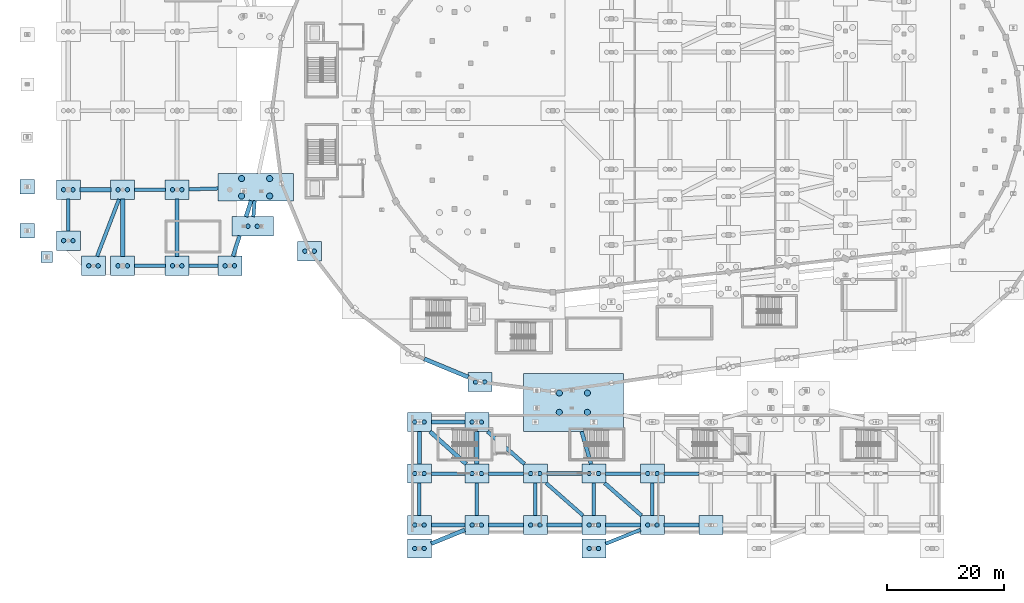
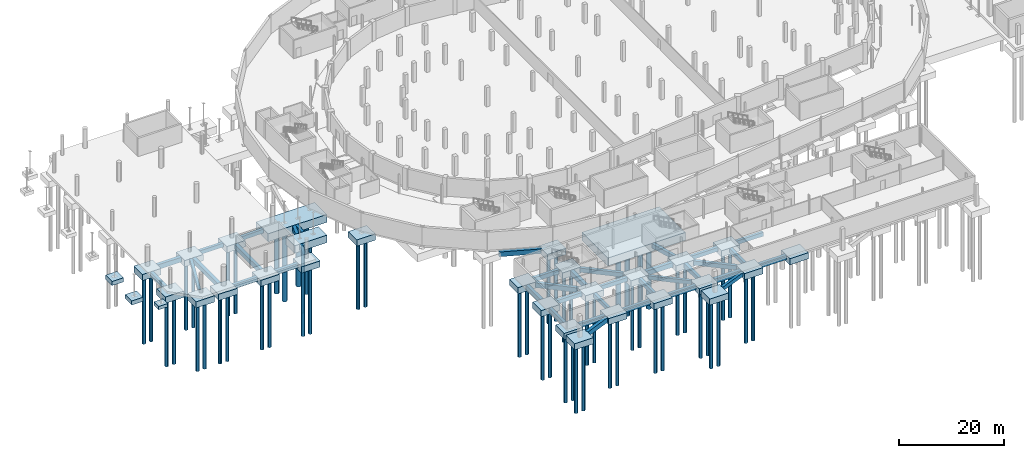
# One storey, part 1 of 55: 69 footings, 58 piles.
"""IFC4 building model written with IfcOpenShell, lengths in metres."""

import ifcopenshell
import ifcopenshell.guid

model = None  # the IFC model being written
_history = None  # IfcOwnerHistory: only IFC2X3 demands one
_inside = {}  # id of a spatial element -> (the spatial element, [elements in it])
_under = {}  # id of a project, library or spatial element -> (it, [spatial elements below it])
_declared = {}  # id of a project -> (the project, [libraries it declares])
_typed = {}  # id of a type object -> (the type object, [elements of that type])
_made_of = {}  # id of a material, layer set ... -> (it, [elements and type objects made of it])


def new_model(schema):
    """Start an empty IFC model of exactly this schema.

    Asked for "IFC4X3", IfcOpenShell would pick the latest addendum, in which some entities
    have other attributes; the version numbers below select the first issue.
    IFC2X3 requires an IfcOwnerHistory on every rooted entity: one is made here for all.
    """
    global model, _history
    if schema == "IFC4X3":
        model = ifcopenshell.file(schema_version=(4, 3, 0, 0))
    else:
        model = ifcopenshell.file(schema=schema)
    _inside.clear()
    _under.clear()
    _declared.clear()
    _typed.clear()
    _made_of.clear()
    _history = None
    if model.schema == "IFC2X3":
        org = make("IfcOrganization", Name="unknown")
        user = make(
            "IfcPersonAndOrganization",
            ThePerson=make("IfcPerson", FamilyName="unknown"),
            TheOrganization=org,
        )
        app = make(
            "IfcApplication",
            ApplicationDeveloper=org,
            Version="unknown",
            ApplicationFullName="unknown",
            ApplicationIdentifier="unknown",
        )
        _history = make(
            "IfcOwnerHistory",
            OwningUser=user,
            OwningApplication=app,
            ChangeAction="ADDED",
            CreationDate=0,
        )
    return model


def make(cls, **values):
    """One entity of the class cls with the attributes given. An attribute that is None is left unset."""
    return model.create_entity(
        cls, **{name: value for name, value in values.items() if value is not None}
    )


def rooted(cls, **values):
    """An entity with a GlobalId (a new one), such as an element, a storey or a relation."""
    return make(cls, GlobalId=ifcopenshell.guid.new(), OwnerHistory=_history, **values)


def si_unit(unit_type, name, prefix=None):
    """IfcSIUnit, for example si_unit("LENGTHUNIT", "METRE", prefix="MILLI")."""
    return make("IfcSIUnit", UnitType=unit_type, Prefix=prefix, Name=name)


def assignment(units):
    """IfcUnitAssignment: the units of a project."""
    return None if units is None else make("IfcUnitAssignment", Units=units)


def point(xyz):
    """IfcCartesianPoint."""
    return None if xyz is None else make("IfcCartesianPoint", Coordinates=xyz)


def direction(xyz):
    """IfcDirection."""
    return None if xyz is None else make("IfcDirection", DirectionRatios=xyz)


def frame(location, z_axis=None, x_axis=None):
    """IfcAxis2Placement3D, a coordinate frame: its origin and axes. An axis left out is left unset."""
    return make(
        "IfcAxis2Placement3D",
        Location=point(location),
        Axis=direction(z_axis),
        RefDirection=direction(x_axis),
    )


def frame_2d(location, x_axis=None):
    """IfcAxis2Placement2D, a coordinate frame in the plane: its origin and x axis."""
    return make(
        "IfcAxis2Placement2D", Location=point(location), RefDirection=direction(x_axis)
    )


def origin():
    """The frame at (0, 0, 0) with its axes left unset."""
    return frame((0.0, 0.0, 0.0))


def origin_2d():
    """The frame at (0, 0) in the plane with its x axis left unset."""
    return frame_2d((0.0, 0.0))


def place(relative_to, where):
    """IfcLocalPlacement: puts the frame where relative to a parent placement (None: the world)."""
    return make(
        "IfcLocalPlacement", PlacementRelTo=relative_to, RelativePlacement=where
    )


def context(
    kind, dimensions, precision=None, world=None, true_north=None, identifier=None
):
    """IfcGeometricRepresentationContext, for example the 3D "Model" context."""
    return make(
        "IfcGeometricRepresentationContext",
        ContextIdentifier=identifier,
        ContextType=kind,
        CoordinateSpaceDimension=dimensions,
        Precision=precision,
        WorldCoordinateSystem=world,
        TrueNorth=true_north,
    )


def subcontext(parent, identifier, kind, view, scale=None):
    """IfcGeometricRepresentationSubContext, for example "Body" below "Model"."""
    return make(
        "IfcGeometricRepresentationSubContext",
        ContextIdentifier=identifier,
        ContextType=kind,
        ParentContext=parent,
        TargetScale=scale,
        TargetView=view,
    )


def project(units=None, contexts=None):
    """IfcProject with its units and contexts."""
    return rooted(
        "IfcProject",
        Name="project",
        RepresentationContexts=contexts,
        UnitsInContext=assignment(units),
    )


def spatial(cls, under=None, at=None, **own):
    """A site, building, storey or space (cls), placed at a placement, below another one or the project."""
    s = rooted(cls, ObjectPlacement=at, **own)
    if under is not None:
        _under.setdefault(under.id(), (under, []))[1].append(s)
    return s


def profile(cls, at=None, kind="AREA", **sizes):
    """A parametric profile (cls). Its sizes go by their IFC names, for example OverallWidth=200.0."""
    return make(cls, ProfileType=kind, Position=at, **sizes)


def rectangle(**sizes):
    """IfcRectangleProfileDef."""
    return profile("IfcRectangleProfileDef", **sizes)


def circle(**sizes):
    """IfcCircleProfileDef."""
    return profile("IfcCircleProfileDef", **sizes)


def extrude(swept, where, along, depth):
    """IfcExtrudedAreaSolid: the profile swept, set in the frame where, extruded along a direction by depth."""
    return make(
        "IfcExtrudedAreaSolid",
        SweptArea=swept,
        Position=where,
        ExtrudedDirection=direction(along),
        Depth=depth,
    )


def shape(context_of_items, identifier, shape_type, items):
    """IfcShapeRepresentation: the items that make up one representation, for example the "Body"."""
    return make(
        "IfcShapeRepresentation",
        ContextOfItems=context_of_items,
        RepresentationIdentifier=identifier,
        RepresentationType=shape_type,
        Items=items,
    )


def material(Name=None, Category=None):
    """IfcMaterial."""
    return make("IfcMaterial", Name=Name, Category=Category)


def material_profile(
    of_material, cross_section, Name=None, Category=None, Priority=None
):
    """IfcMaterialProfile: a cross section and its material."""
    return make(
        "IfcMaterialProfile",
        Name=Name,
        Material=of_material,
        Profile=cross_section,
        Priority=Priority,
        Category=Category,
    )


def profile_set(profiles, Name=None, composite=None):
    """IfcMaterialProfileSet."""
    return make(
        "IfcMaterialProfileSet",
        Name=Name,
        MaterialProfiles=profiles,
        CompositeProfile=composite,
    )


def made_of(thing, what):
    """Note that an element or type object is made of a material, layer set ...; save() writes the relation."""
    if what is not None:
        _made_of.setdefault(what.id(), (what, []))[1].append(thing)
    return thing


def type_object(cls, material=None, **own):
    """A type object (cls), such as IfcWallType, which elements share."""
    return made_of(rooted(cls, **own), material)


def element(
    cls,
    number,
    at=None,
    inside=None,
    cuts=None,
    type_object=None,
    material=None,
    context=None,
    identifier="Body",
    shape_type=None,
    held_by="IfcProductDefinitionShape",
    body=None,
    shapes=None,
    **own,
):
    """One element of the class cls, such as IfcWall. Its Tag is "e" and its number.

    at: its placement. inside: the storey or other place that contains it. cuts: it is an
    opening in that element (IfcRelVoidsElement). A single representation is given by context,
    identifier, shape_type and body (its items); several are given by shapes. held_by: the class
    of the entity that holds the representations. save() writes the other relations.
    """
    e = rooted(cls, Tag="e%d" % number, ObjectPlacement=at, **own)
    if body is not None:
        shapes = [shape(context, identifier, shape_type, body)]
    if shapes is not None:
        e.Representation = make(held_by, Representations=shapes)
    if inside is not None:
        _inside.setdefault(inside.id(), (inside, []))[1].append(e)
    if cuts is not None:
        rooted(
            "IfcRelVoidsElement", RelatingBuildingElement=cuts, RelatedOpeningElement=e
        )
    if type_object is not None:
        _typed.setdefault(type_object.id(), (type_object, []))[1].append(e)
    return made_of(e, material)


def aggregate(whole, parts):
    """IfcRelAggregates: a whole, such as a stair, and the parts it consists of."""
    return rooted("IfcRelAggregates", RelatingObject=whole, RelatedObjects=parts)


def save(model, path):
    """Write the relations noted so far, then the file.

    IfcRelAggregates (storeys below a building ...), IfcRelContainedInSpatialStructure (elements
    in a storey), IfcRelDefinesByType, IfcRelAssociatesMaterial and IfcRelDeclares: one each for
    every whole, place, type object, material and project.
    """
    for whole, parts in _under.values():
        aggregate(whole, parts)
    for where, things in _inside.values():
        rooted(
            "IfcRelContainedInSpatialStructure",
            RelatedElements=things,
            RelatingStructure=where,
        )
    for kind, things in _typed.values():
        rooted("IfcRelDefinesByType", RelatedObjects=things, RelatingType=kind)
    for what, things in _made_of.values():
        rooted("IfcRelAssociatesMaterial", RelatedObjects=things, RelatingMaterial=what)
    for by, libraries in _declared.values():
        rooted("IfcRelDeclares", RelatingContext=by, RelatedDefinitions=libraries)
    model.write(path)


model = new_model("IFC4")

# Units and contexts
model_context = context("Model", 3, precision=1e-05, world=origin(), true_north=direction((0.0, 1.0)))
body_context = subcontext(model_context, "Body", "Model", "MODEL_VIEW")
ifc_project = project(units=[si_unit("LENGTHUNIT", "METRE"), si_unit("AREAUNIT", "SQUARE_METRE"), si_unit("VOLUMEUNIT", "CUBIC_METRE"), si_unit("PLANEANGLEUNIT", "RADIAN"), si_unit("MASSUNIT", "GRAM", prefix="KILO")], contexts=[model_context])

# Site, building, storey
site_placement = place(None, origin())
site = spatial("IfcSite", under=ifc_project, at=site_placement, CompositionType="ELEMENT")
building_placement = place(site_placement, origin())
building = spatial("IfcBuilding", under=site, at=building_placement, Name="Sohan Crest Arena", CompositionType="ELEMENT")
storey_placement = place(building_placement, frame((0.0, 0.0, -4.5)))
storey = spatial("IfcBuildingStorey", under=building, at=storey_placement, Name="B1", CompositionType="ELEMENT", Elevation=-4.5)

# Footings
ifc_material = material(Name="Concrete C40/50", Category="concrete")
ifc_material_profile_1 = material_profile(ifc_material, rectangle(XDim=0.60009765625, YDim=0.89990234375, at=origin_2d()), Name="RC-FB 600x900")
ifc_profile_set_1 = profile_set([ifc_material_profile_1], Name="Concrete C40/50")
footing_type_1 = type_object("IfcFootingType", Name="FND-FB01", PredefinedType="FOOTING_BEAM", material=ifc_profile_set_1)
footing_1_placement = place(storey_placement, frame((20.126953125, 53.1298828125, -1.0), z_axis=(0.358966537849, 0.933350429745, 0.0), x_axis=(-0.933350429745, 0.358966537849, 0.0)))
element("IfcFooting", 1, at=footing_1_placement, inside=storey, type_object=footing_type_1, Name="Continuous RC footing tie beam FB-009", PredefinedType="FOOTING_BEAM", context=body_context, shape_type="SweptSolid", body=[
    extrude(rectangle(XDim=0.60009765625, YDim=0.89990234375, at=origin_2d()), origin(), (0.0, 0.0, 1.0), 10.435791015625),
])
footing_2_placement = place(storey_placement, frame((26.530029296875, 64.5, -1.0), z_axis=(1.0, 0.0, 0.0), x_axis=(0.0, 1.0, 0.0)))
element("IfcFooting", 2, at=footing_2_placement, inside=storey, type_object=footing_type_1, Name="Continuous RC footing tie beam FB-012", PredefinedType="FOOTING_BEAM", context=body_context, shape_type="SweptSolid", body=[
    extrude(rectangle(XDim=0.60009765625, YDim=0.89990234375, at=origin_2d()), origin(), (0.0, 0.0, 1.0), 5.239990234375),
])
footing_3_placement = place(storey_placement, frame((35.830078125, 64.56201171875, -1.0), z_axis=(0.999525957592, 0.030787336675, 0.0), x_axis=(-0.030787336675, 0.999525957592, 0.0)))
element("IfcFooting", 3, at=footing_3_placement, inside=storey, type_object=footing_type_1, Name="Continuous RC footing tie beam FB-021", PredefinedType="FOOTING_BEAM", context=body_context, shape_type="SweptSolid", body=[
    extrude(rectangle(XDim=0.60009765625, YDim=0.89990234375, at=origin_2d()), origin(), (0.0, 0.0, 1.0), 4.9404296875),
])
footing_4_placement = place(storey_placement, frame((47.0400390625, 62.617919921875, -1.0), z_axis=(-0.077607403448, -0.996983997329, 0.0), x_axis=(0.996983997329, -0.077607403448, 0.0)))
element("IfcFooting", 4, at=footing_4_placement, inside=storey, type_object=footing_type_1, Name="Continuous RC footing tie beam FB-030", PredefinedType="FOOTING_BEAM", context=body_context, shape_type="SweptSolid", body=[
    extrude(rectangle(XDim=0.60009765625, YDim=0.89990234375, at=origin_2d()), origin(), (0.0, 0.0, 1.0), 2.746337890625),
])
footing_5_placement = place(storey_placement, frame((75.199951171875, 8.830078125, -1.0), z_axis=(0.0, 1.0, 0.0), x_axis=(-1.0, 0.0, 0.0)))
element("IfcFooting", 5, at=footing_5_placement, inside=storey, type_object=footing_type_1, Name="Continuous RC footing tie beam FB-039", PredefinedType="FOOTING_BEAM", context=body_context, shape_type="SweptSolid", body=[
    extrude(rectangle(XDim=0.60009765625, YDim=0.89990234375, at=origin_2d()), origin(), (0.0, 0.0, 1.0), 5.5400390625),
])
footing_6_placement = place(storey_placement, frame((77.22998046875, 16.0, -1.0), z_axis=(1.0, 0.0, 0.0), x_axis=(0.0, 1.0, 0.0)))
element("IfcFooting", 6, at=footing_6_placement, inside=storey, type_object=footing_type_1, Name="Continuous RC footing tie beam FB-042", PredefinedType="FOOTING_BEAM", context=body_context, shape_type="SweptSolid", body=[
    extrude(rectangle(XDim=0.60009765625, YDim=0.89990234375, at=origin_2d()), origin(), (0.0, 0.0, 1.0), 5.739990234375),
])
footing_7_placement = place(storey_placement, frame((85.0, 8.830078125, -1.0), z_axis=(0.0, 1.0, 0.0), x_axis=(-1.0, 0.0, 0.0)))
element("IfcFooting", 7, at=footing_7_placement, inside=storey, type_object=footing_type_1, Name="Continuous RC footing tie beam FB-045", PredefinedType="FOOTING_BEAM", context=body_context, shape_type="SweptSolid", body=[
    extrude(rectangle(XDim=0.60009765625, YDim=0.89990234375, at=origin_2d()), origin(), (0.0, 0.0, 1.0), 5.5400390625),
])
footing_8_placement = place(storey_placement, frame((87.030029296875, 16.0, -1.0), z_axis=(1.0, 0.0, 0.0), x_axis=(0.0, 1.0, 0.0)))
element("IfcFooting", 8, at=footing_8_placement, inside=storey, type_object=footing_type_1, Name="Continuous RC footing tie beam FB-048", PredefinedType="FOOTING_BEAM", context=body_context, shape_type="SweptSolid", body=[
    extrude(rectangle(XDim=0.60009765625, YDim=0.89990234375, at=origin_2d()), origin(), (0.0, 0.0, 1.0), 5.93994140625),
])
footing_9_placement = place(storey_placement, frame((95.0, 8.830078125, -1.0), z_axis=(0.0, 1.0, 0.0), x_axis=(-1.0, 0.0, 0.0)))
element("IfcFooting", 9, at=footing_9_placement, inside=storey, type_object=footing_type_1, Name="Continuous RC footing tie beam FB-051", PredefinedType="FOOTING_BEAM", context=body_context, shape_type="SweptSolid", body=[
    extrude(rectangle(XDim=0.60009765625, YDim=0.89990234375, at=origin_2d()), origin(), (0.0, 0.0, 1.0), 5.5400390625),
])
footing_10_placement = place(storey_placement, frame((96.85205078125, 14.3701171875, -1.0), z_axis=(0.750734306922, -0.660604269143, 0.0), x_axis=(0.660604269143, 0.750734306922, 0.0)))
element("IfcFooting", 10, at=footing_10_placement, inside=storey, type_object=footing_type_1, Name="Continuous RC footing tie beam FB-054", PredefinedType="FOOTING_BEAM", context=body_context, shape_type="SweptSolid", body=[
    extrude(rectangle(XDim=0.60009765625, YDim=0.89990234375, at=origin_2d()), origin(), (0.0, 0.0, 1.0), 8.38623046875),
])
footing_11_placement = place(storey_placement, frame((107.030029296875, 4.011962890625, -1.0), z_axis=(0.928476690885, 0.371390676354, 0.0), x_axis=(-0.371390676354, 0.928476690885, 0.0)))
element("IfcFooting", 11, at=footing_11_placement, inside=storey, type_object=footing_type_1, Name="Continuous RC footing tie beam FB-060", PredefinedType="FOOTING_BEAM", context=body_context, shape_type="SweptSolid", body=[
    extrude(rectangle(XDim=0.60009765625, YDim=0.89990234375, at=origin_2d()), origin(), (0.0, 0.0, 1.0), 6.3974609375),
])
footing_12_placement = place(storey_placement, frame((107.030029296875, 16.0, -1.0), z_axis=(1.0, 0.0, 0.0), x_axis=(0.0, 1.0, 0.0)))
element("IfcFooting", 12, at=footing_12_placement, inside=storey, type_object=footing_type_1, Name="Continuous RC footing tie beam FB-063", PredefinedType="FOOTING_BEAM", context=body_context, shape_type="SweptSolid", body=[
    extrude(rectangle(XDim=0.60009765625, YDim=0.89990234375, at=origin_2d()), origin(), (0.0, 0.0, 1.0), 5.93994140625),
])
footing_13_placement = place(storey_placement, frame((115.0, 8.830078125, -1.0), z_axis=(0.0, 1.0, 0.0), x_axis=(-1.0, 0.0, 0.0)))
element("IfcFooting", 13, at=footing_13_placement, inside=storey, type_object=footing_type_1, Name="Continuous RC footing tie beam FB-084", PredefinedType="FOOTING_BEAM", context=body_context, shape_type="SweptSolid", body=[
    extrude(rectangle(XDim=0.60009765625, YDim=0.89990234375, at=origin_2d()), origin(), (0.0, 0.0, 1.0), 5.5400390625),
])
footing_14_placement = place(storey_placement, frame((117.030029296875, 16.0, -1.0), z_axis=(1.0, 0.0, 0.0), x_axis=(0.0, 1.0, 0.0)))
element("IfcFooting", 14, at=footing_14_placement, inside=storey, type_object=footing_type_1, Name="Continuous RC footing tie beam FB-087", PredefinedType="FOOTING_BEAM", context=body_context, shape_type="SweptSolid", body=[
    extrude(rectangle(XDim=0.60009765625, YDim=0.89990234375, at=origin_2d()), origin(), (0.0, 0.0, 1.0), 5.93994140625),
])
ifc_material_profile_2 = material_profile(ifc_material, rectangle(XDim=0.64990234375, YDim=1.0, at=origin_2d()), Name="RC-FB 650x1000")
ifc_profile_set_2 = profile_set([ifc_material_profile_2], Name="Concrete C40/50")
footing_type_2 = type_object("IfcFootingType", Name="FND-FB02", PredefinedType="FOOTING_BEAM", material=ifc_profile_set_2)
footing_15_placement = place(storey_placement, frame((15.199951171875, 57.429931640625, -1.050048828125), z_axis=(0.0, 1.0, 0.0), x_axis=(-1.0, 0.0, 0.0)))
element("IfcFooting", 15, at=footing_15_placement, inside=storey, type_object=footing_type_2, Name="Continuous RC footing tie beam FB-001", PredefinedType="FOOTING_BEAM", context=body_context, shape_type="SweptSolid", body=[
    extrude(rectangle(XDim=0.64990234375, YDim=1.0, at=origin_2d()), origin(), (0.0, 0.0, 1.0), 5.440185546875),
])
footing_16_placement = place(storey_placement, frame((26.530029296875, 51.5, -1.050048828125), z_axis=(1.0, 0.0, 0.0), x_axis=(0.0, 1.0, 0.0)))
element("IfcFooting", 16, at=footing_16_placement, inside=storey, type_object=footing_type_2, Name="Continuous RC footing tie beam FB-010", PredefinedType="FOOTING_BEAM", context=body_context, shape_type="SweptSolid", body=[
    extrude(rectangle(XDim=0.64990234375, YDim=1.0, at=origin_2d()), origin(), (0.0, 0.0, 1.0), 5.239990234375),
])
footing_17_placement = place(storey_placement, frame((35.830078125, 51.5, -1.050048828125), z_axis=(1.0, 0.0, 0.0), x_axis=(0.0, 1.0, 0.0)))
element("IfcFooting", 17, at=footing_17_placement, inside=storey, type_object=footing_type_2, Name="Continuous RC footing tie beam FB-019", PredefinedType="FOOTING_BEAM", context=body_context, shape_type="SweptSolid", body=[
    extrude(rectangle(XDim=0.64990234375, YDim=1.0, at=origin_2d()), origin(), (0.0, 0.0, 1.0), 4.93994140625),
])
footing_18_placement = place(storey_placement, frame((43.3369140625, 53.1298828125, -1.050048828125), z_axis=(0.312737479384, 0.949839601716, 0.0), x_axis=(-0.949839601716, 0.312737479384, 0.0)))
element("IfcFooting", 18, at=footing_18_placement, inside=storey, type_object=footing_type_2, Name="Continuous RC footing tie beam FB-028", PredefinedType="FOOTING_BEAM", context=body_context, shape_type="SweptSolid", body=[
    extrude(rectangle(XDim=0.64990234375, YDim=1.0, at=origin_2d()), origin(), (0.0, 0.0, 1.0), 3.674560546875),
])
for number, where, z_axis, x_axis, name in (
    (19, (77.22998046875, 7.199951171875, -1.050048828125), (1.0, 0.0, 0.0), (0.0, 1.0, 0.0), "Continuous RC footing tie beam FB-040"),
    (20, (77.22998046875, 24.800048828125, -1.050048828125), (1.0, 0.0, 0.0), (0.0, 1.0, 0.0), "Continuous RC footing tie beam FB-043"),
):
    element("IfcFooting", number, at=place(storey_placement, frame(where, z_axis=z_axis, x_axis=x_axis)), inside=storey, type_object=footing_type_2, Name=name, PredefinedType="FOOTING_BEAM", context=body_context, shape_type="SweptSolid", body=[
        extrude(rectangle(XDim=0.64990234375, YDim=1.0, at=origin_2d()), origin(), (0.0, 0.0, 1.0), 5.739990234375),
    ])
footing_19_placement = place(storey_placement, frame((87.030029296875, 7.199951171875, -1.050048828125), z_axis=(1.0, 0.0, 0.0), x_axis=(0.0, 1.0, 0.0)))
element("IfcFooting", 21, at=footing_19_placement, inside=storey, type_object=footing_type_2, Name="Continuous RC footing tie beam FB-046", PredefinedType="FOOTING_BEAM", context=body_context, shape_type="SweptSolid", body=[
    extrude(rectangle(XDim=0.64990234375, YDim=1.0, at=origin_2d()), origin(), (0.0, 0.0, 1.0), 5.93994140625),
])
footing_20_placement = place(storey_placement, frame((86.85205078125, 23.169921875, -1.050048828125), z_axis=(0.750734306922, -0.660604269143, 0.0), x_axis=(0.660604269143, 0.750734306922, 0.0)))
element("IfcFooting", 22, at=footing_20_placement, inside=storey, type_object=footing_type_2, Name="Continuous RC footing tie beam FB-049", PredefinedType="FOOTING_BEAM", context=body_context, shape_type="SweptSolid", body=[
    extrude(rectangle(XDim=0.64990234375, YDim=1.0, at=origin_2d()), origin(), (0.0, 0.0, 1.0), 8.38623046875),
])
footing_21_placement = place(storey_placement, frame((97.030029296875, 7.199951171875, -1.050048828125), z_axis=(1.0, 0.0, 0.0), x_axis=(0.0, 1.0, 0.0)))
element("IfcFooting", 23, at=footing_21_placement, inside=storey, type_object=footing_type_2, Name="Continuous RC footing tie beam FB-052", PredefinedType="FOOTING_BEAM", context=body_context, shape_type="SweptSolid", body=[
    extrude(rectangle(XDim=0.64990234375, YDim=1.0, at=origin_2d()), origin(), (0.0, 0.0, 1.0), 5.93994140625),
])
footing_22_placement = place(storey_placement, frame((102.928955078125, 23.1689453125, -1.050048828125), z_axis=(0.277527493641, -0.96071769541, 0.0), x_axis=(0.96071769541, 0.277527493641, 0.0)))
element("IfcFooting", 24, at=footing_22_placement, inside=storey, type_object=footing_type_2, Name="Continuous RC footing tie beam FB-055", PredefinedType="FOOTING_BEAM", context=body_context, shape_type="SweptSolid", body=[
    extrude(rectangle(XDim=0.64990234375, YDim=1.0, at=origin_2d()), origin(), (0.0, 0.0, 1.0), 5.765625),
])
footing_23_placement = place(storey_placement, frame((105.0, 8.830078125, -1.050048828125), z_axis=(0.0, 1.0, 0.0), x_axis=(-1.0, 0.0, 0.0)))
element("IfcFooting", 25, at=footing_23_placement, inside=storey, type_object=footing_type_2, Name="Continuous RC footing tie beam FB-061", PredefinedType="FOOTING_BEAM", context=body_context, shape_type="SweptSolid", body=[
    extrude(rectangle(XDim=0.64990234375, YDim=1.0, at=origin_2d()), origin(), (0.0, 0.0, 1.0), 5.5400390625),
])
footing_24_placement = place(storey_placement, frame((106.85205078125, 14.3701171875, -1.050048828125), z_axis=(0.750734306922, -0.660604269143, 0.0), x_axis=(0.660604269143, 0.750734306922, 0.0)))
element("IfcFooting", 26, at=footing_24_placement, inside=storey, type_object=footing_type_2, Name="Continuous RC footing tie beam FB-064", PredefinedType="FOOTING_BEAM", context=body_context, shape_type="SweptSolid", body=[
    extrude(rectangle(XDim=0.64990234375, YDim=1.0, at=origin_2d()), origin(), (0.0, 0.0, 1.0), 8.38623046875),
])
footing_25_placement = place(storey_placement, frame((117.030029296875, 7.199951171875, -1.050048828125), z_axis=(1.0, 0.0, 0.0), x_axis=(0.0, 1.0, 0.0)))
element("IfcFooting", 27, at=footing_25_placement, inside=storey, type_object=footing_type_2, Name="Continuous RC footing tie beam FB-085", PredefinedType="FOOTING_BEAM", context=body_context, shape_type="SweptSolid", body=[
    extrude(rectangle(XDim=0.64990234375, YDim=1.0, at=origin_2d()), origin(), (0.0, 0.0, 1.0), 5.93994140625),
])
ifc_material_profile_3 = material_profile(ifc_material, rectangle(XDim=0.699951171875, YDim=1.10009765625, at=origin_2d()), Name="RC-FB 700x1100")
ifc_profile_set_3 = profile_set([ifc_material_profile_3], Name="Concrete C40/50")
footing_type_3 = type_object("IfcFootingType", Name="FND-FB03", PredefinedType="FOOTING_BEAM", material=ifc_profile_set_3)
footing_26_placement = place(storey_placement, frame((17.22998046875, 64.5, -1.10009765625), z_axis=(1.0, 0.0, 0.0), x_axis=(0.0, 1.0, 0.0)))
element("IfcFooting", 28, at=footing_26_placement, inside=storey, type_object=footing_type_3, Name="Continuous RC footing tie beam FB-002", PredefinedType="FOOTING_BEAM", context=body_context, shape_type="SweptSolid", body=[
    extrude(rectangle(XDim=0.699951171875, YDim=1.10009765625, at=origin_2d()), origin(), (0.0, 0.0, 1.0), 5.239990234375),
])
for number, where, z_axis, x_axis, name in (
    (29, (24.5, 53.1298828125, -1.10009765625), (0.0, 1.0, 0.0), (-1.0, 0.0, 0.0), "Continuous RC footing tie beam FB-011"),
    (30, (33.800048828125, 53.1298828125, -1.10009765625), (0.0, 1.0, 0.0), (-1.0, 0.0, 0.0), "Continuous RC footing tie beam FB-020"),
):
    element("IfcFooting", number, at=place(storey_placement, frame(where, z_axis=z_axis, x_axis=x_axis)), inside=storey, type_object=footing_type_3, Name=name, PredefinedType="FOOTING_BEAM", context=body_context, shape_type="SweptSolid", body=[
        extrude(rectangle(XDim=0.699951171875, YDim=1.10009765625, at=origin_2d()), origin(), (0.0, 0.0, 1.0), 9.740234375),
    ])
footing_27_placement = place(storey_placement, frame((45.56005859375, 59.8798828125, -1.10009765625), z_axis=(0.312846610055, 0.949803663173, 0.0), x_axis=(-0.949803663173, 0.312846610055, 0.0)))
element("IfcFooting", 31, at=footing_27_placement, inside=storey, type_object=footing_type_3, Name="Continuous RC footing tie beam FB-029", PredefinedType="FOOTING_BEAM", context=body_context, shape_type="SweptSolid", body=[
    extrude(rectangle(XDim=0.699951171875, YDim=1.10009765625, at=origin_2d()), origin(), (0.0, 0.0, 1.0), 2.8828125),
])
footing_28_placement = place(storey_placement, frame((76.030029296875, 35.590087890625, -1.10009765625), z_axis=(0.92390749093, -0.382615927796, 0.0), x_axis=(0.382615927796, 0.92390749093, 0.0)))
element("IfcFooting", 32, at=footing_28_placement, inside=storey, type_object=footing_type_3, Name="Continuous RC footing tie beam FB-035", PredefinedType="FOOTING_BEAM", context=body_context, shape_type="SweptSolid", body=[
    extrude(rectangle(XDim=0.699951171875, YDim=1.10009765625, at=origin_2d()), origin(), (0.0, 0.0, 1.0), 8.13623046875),
])
footing_29_placement = place(storey_placement, frame((77.22998046875, 4.029052734375, -1.10009765625), z_axis=(0.925893471587, 0.377784699627, 0.0), x_axis=(-0.377784699627, 0.925893471587, 0.0)))
element("IfcFooting", 33, at=footing_29_placement, inside=storey, type_object=footing_type_3, Name="Continuous RC footing tie beam FB-038", PredefinedType="FOOTING_BEAM", context=body_context, shape_type="SweptSolid", body=[
    extrude(rectangle(XDim=0.699951171875, YDim=1.10009765625, at=origin_2d()), origin(), (0.0, 0.0, 1.0), 6.199462890625),
])
footing_30_placement = place(storey_placement, frame((75.199951171875, 17.6298828125, -1.10009765625), z_axis=(0.0, 1.0, 0.0), x_axis=(-1.0, 0.0, 0.0)))
element("IfcFooting", 34, at=footing_30_placement, inside=storey, type_object=footing_type_3, Name="Continuous RC footing tie beam FB-041", PredefinedType="FOOTING_BEAM", context=body_context, shape_type="SweptSolid", body=[
    extrude(rectangle(XDim=0.699951171875, YDim=1.10009765625, at=origin_2d()), origin(), (0.0, 0.0, 1.0), 5.5400390625),
])
footing_31_placement = place(storey_placement, frame((77.014892578125, 23.169921875, -1.10009765625), z_axis=(0.744079774862, -0.668090778743, 0.0), x_axis=(0.668090778743, 0.744079774862, 0.0)))
element("IfcFooting", 35, at=footing_31_placement, inside=storey, type_object=footing_type_3, Name="Continuous RC footing tie beam FB-044", PredefinedType="FOOTING_BEAM", context=body_context, shape_type="SweptSolid", body=[
    extrude(rectangle(XDim=0.699951171875, YDim=1.10009765625, at=origin_2d()), origin(), (0.0, 0.0, 1.0), 8.292236328125),
])
footing_32_placement = place(storey_placement, frame((85.0, 17.6298828125, -1.10009765625), z_axis=(0.0, 1.0, 0.0), x_axis=(-1.0, 0.0, 0.0)))
element("IfcFooting", 36, at=footing_32_placement, inside=storey, type_object=footing_type_3, Name="Continuous RC footing tie beam FB-047", PredefinedType="FOOTING_BEAM", context=body_context, shape_type="SweptSolid", body=[
    extrude(rectangle(XDim=0.699951171875, YDim=1.10009765625, at=origin_2d()), origin(), (0.0, 0.0, 1.0), 5.5400390625),
])
for number, where, z_axis, x_axis, name in (
    (37, (97.030029296875, 16.0, -1.10009765625), (1.0, 0.0, 0.0), (0.0, 1.0, 0.0), "Continuous RC footing tie beam FB-053"),
    (38, (107.030029296875, 7.199951171875, -1.10009765625), (1.0, 0.0, 0.0), (0.0, 1.0, 0.0), "Continuous RC footing tie beam FB-062"),
):
    element("IfcFooting", number, at=place(storey_placement, frame(where, z_axis=z_axis, x_axis=x_axis)), inside=storey, type_object=footing_type_3, Name=name, PredefinedType="FOOTING_BEAM", context=body_context, shape_type="SweptSolid", body=[
        extrude(rectangle(XDim=0.699951171875, YDim=1.10009765625, at=origin_2d()), origin(), (0.0, 0.0, 1.0), 5.93994140625),
    ])

# Piles
ifc_material_profile_4 = material_profile(ifc_material, circle(Radius=0.52490234375, at=origin_2d()), Name="PILE D1050")
ifc_profile_set_4 = profile_set([ifc_material_profile_4], Name="Concrete C40/50")
pile_type_1 = type_object("IfcPileType", Name="FND-P02", PredefinedType="BORED", material=ifc_profile_set_4)
for number, where, z_axis, x_axis, name in (
    (39, (44.818115234375, 63.423095703125, -18.0), (0.0, 0.0, 1.0), (1.0, 0.0, 0.0), "Bored Concrete C40/50 pile P-019-1"),
    (40, (49.617919921875, 63.423095703125, -18.0), (0.0, 0.0, 1.0), (1.0, 0.0, 0.0), "Bored Concrete C40/50 pile P-019-2"),
    (41, (44.818115234375, 66.403076171875, -18.0), (0.0, 0.0, 1.0), (1.0, 0.0, 0.0), "Bored Concrete C40/50 pile P-019-3"),
    (42, (49.617919921875, 66.403076171875, -18.0), (0.0, 0.0, 1.0), (1.0, 0.0, 0.0), "Bored Concrete C40/50 pile P-019-4"),
    (43, (99.10009765625, 26.464111328125, -18.0), (0.0, 0.0, 1.0), (1.0, 0.0, 0.0), "Bored Concrete C40/50 pile P-046-1"),
    (44, (103.89990234375, 26.464111328125, -18.0), (0.0, 0.0, 1.0), (1.0, 0.0, 0.0), "Bored Concrete C40/50 pile P-046-2"),
    (45, (99.10009765625, 29.763916015625, -18.0), (0.0, 0.0, 1.0), (1.0, 0.0, 0.0), "Bored Concrete C40/50 pile P-046-3"),
    (46, (103.89990234375, 29.763916015625, -18.0), (0.0, 0.0, 1.0), (1.0, 0.0, 0.0), "Bored Concrete C40/50 pile P-046-4"),
):
    element("IfcPile", number, at=place(storey_placement, frame(where, z_axis=z_axis, x_axis=x_axis)), inside=storey, type_object=pile_type_1, Name=name, PredefinedType="BORED", context=body_context, shape_type="SweptSolid", body=[
        extrude(circle(Radius=0.52490234375, at=origin_2d()), origin(), (0.0, 0.0, 1.0), 15.719970703125),
    ])
ifc_material_profile_5 = material_profile(ifc_material, circle(Radius=0.375, at=origin_2d()), Name="PILE D750")
ifc_profile_set_5 = profile_set([ifc_material_profile_5], Name="Concrete C40/50")
pile_type_2 = type_object("IfcPileType", Name="FND-P03", PredefinedType="BORED", material=ifc_profile_set_5)
for number, where, z_axis, x_axis, name in (
    (47, (14.39990234375, 55.800048828125, -18.0), (0.0, 0.0, 1.0), (1.0, 0.0, 0.0), "Bored Concrete C40/50 pile P-001-1"),
    (48, (16.0, 55.800048828125, -18.0), (0.0, 0.0, 1.0), (1.0, 0.0, 0.0), "Bored Concrete C40/50 pile P-001-2"),
    (49, (14.39990234375, 64.5, -18.0), (0.0, 0.0, 1.0), (1.0, 0.0, 0.0), "Bored Concrete C40/50 pile P-002-1"),
    (50, (16.0, 64.5, -18.0), (0.0, 0.0, 1.0), (1.0, 0.0, 0.0), "Bored Concrete C40/50 pile P-002-2"),
    (51, (18.699951171875, 51.5, -18.0), (0.0, 0.0, 1.0), (1.0, 0.0, 0.0), "Bored Concrete C40/50 pile P-006-1"),
    (52, (20.300048828125, 51.5, -18.0), (0.0, 0.0, 1.0), (1.0, 0.0, 0.0), "Bored Concrete C40/50 pile P-006-2"),
    (53, (23.699951171875, 51.5, -18.0), (0.0, 0.0, 1.0), (1.0, 0.0, 0.0), "Bored Concrete C40/50 pile P-008-1"),
    (54, (25.300048828125, 51.5, -18.0), (0.0, 0.0, 1.0), (1.0, 0.0, 0.0), "Bored Concrete C40/50 pile P-008-2"),
    (55, (23.699951171875, 64.5, -18.0), (0.0, 0.0, 1.0), (1.0, 0.0, 0.0), "Bored Concrete C40/50 pile P-009-1"),
    (56, (25.300048828125, 64.5, -18.0), (0.0, 0.0, 1.0), (1.0, 0.0, 0.0), "Bored Concrete C40/50 pile P-009-2"),
    (57, (33.0, 51.5, -18.0), (0.0, 0.0, 1.0), (1.0, 0.0, 0.0), "Bored Concrete C40/50 pile P-013-1"),
    (58, (34.60009765625, 51.5, -18.0), (0.0, 0.0, 1.0), (1.0, 0.0, 0.0), "Bored Concrete C40/50 pile P-013-2"),
    (59, (33.0, 64.5, -18.0), (0.0, 0.0, 1.0), (1.0, 0.0, 0.0), "Bored Concrete C40/50 pile P-014-1"),
    (60, (34.60009765625, 64.5, -18.0), (0.0, 0.0, 1.0), (1.0, 0.0, 0.0), "Bored Concrete C40/50 pile P-014-2"),
    (61, (42.0, 51.5, -18.0), (0.0, 0.0, 1.0), (1.0, 0.0, 0.0), "Bored Concrete C40/50 pile P-018-1"),
    (62, (43.60009765625, 51.5, -18.0), (0.0, 0.0, 1.0), (1.0, 0.0, 0.0), "Bored Concrete C40/50 pile P-018-2"),
):
    element("IfcPile", number, at=place(storey_placement, frame(where, z_axis=z_axis, x_axis=x_axis)), inside=storey, type_object=pile_type_2, Name=name, PredefinedType="BORED", context=body_context, shape_type="SweptSolid", body=[
        extrude(circle(Radius=0.375, at=origin_2d()), origin(), (0.0, 0.0, 1.0), 16.1201171875),
    ])
for number, where, z_axis, x_axis, name in (
    (63, (45.89990234375, 58.25, -18.0), (0.0, 0.0, 1.0), (1.0, 0.0, 0.0), "Bored Concrete C40/50 pile P-023-1"),
    (64, (47.5, 58.25, -18.0), (0.0, 0.0, 1.0), (1.0, 0.0, 0.0), "Bored Concrete C40/50 pile P-023-2"),
):
    element("IfcPile", number, at=place(storey_placement, frame(where, z_axis=z_axis, x_axis=x_axis)), inside=storey, type_object=pile_type_2, Name=name, PredefinedType="BORED", context=body_context, shape_type="SweptSolid", body=[
        extrude(circle(Radius=0.375, at=origin_2d()), origin(), (0.0, 0.0, 1.0), 15.820068359375),
    ])
for number, where, z_axis, x_axis, name in (
    (65, (55.631103515625, 54.0, -18.0), (0.0, 0.0, 1.0), (1.0, 0.0, 0.0), "Bored Concrete C40/50 pile P-026-1"),
    (66, (57.23095703125, 54.0, -18.0), (0.0, 0.0, 1.0), (1.0, 0.0, 0.0), "Bored Concrete C40/50 pile P-026-2"),
    (67, (74.39990234375, 3.199951171875, -18.0), (0.0, 0.0, 1.0), (1.0, 0.0, 0.0), "Bored Concrete C40/50 pile P-034-1"),
    (68, (76.0, 3.199951171875, -18.0), (0.0, 0.0, 1.0), (1.0, 0.0, 0.0), "Bored Concrete C40/50 pile P-034-2"),
    (69, (74.39990234375, 7.199951171875, -18.0), (0.0, 0.0, 1.0), (1.0, 0.0, 0.0), "Bored Concrete C40/50 pile P-035-1"),
    (70, (76.0, 7.199951171875, -18.0), (0.0, 0.0, 1.0), (1.0, 0.0, 0.0), "Bored Concrete C40/50 pile P-035-2"),
    (71, (74.39990234375, 16.0, -18.0), (0.0, 0.0, 1.0), (1.0, 0.0, 0.0), "Bored Concrete C40/50 pile P-036-1"),
    (72, (76.0, 16.0, -18.0), (0.0, 0.0, 1.0), (1.0, 0.0, 0.0), "Bored Concrete C40/50 pile P-036-2"),
    (73, (74.39990234375, 24.800048828125, -18.0), (0.0, 0.0, 1.0), (1.0, 0.0, 0.0), "Bored Concrete C40/50 pile P-037-1"),
    (74, (76.0, 24.800048828125, -18.0), (0.0, 0.0, 1.0), (1.0, 0.0, 0.0), "Bored Concrete C40/50 pile P-037-2"),
    (75, (84.199951171875, 7.199951171875, -18.0), (0.0, 0.0, 1.0), (1.0, 0.0, 0.0), "Bored Concrete C40/50 pile P-039-1"),
    (76, (85.800048828125, 7.199951171875, -18.0), (0.0, 0.0, 1.0), (1.0, 0.0, 0.0), "Bored Concrete C40/50 pile P-039-2"),
    (77, (84.199951171875, 16.0, -18.0), (0.0, 0.0, 1.0), (1.0, 0.0, 0.0), "Bored Concrete C40/50 pile P-040-1"),
    (78, (85.800048828125, 16.0, -18.0), (0.0, 0.0, 1.0), (1.0, 0.0, 0.0), "Bored Concrete C40/50 pile P-040-2"),
    (79, (84.199951171875, 24.800048828125, -18.0), (0.0, 0.0, 1.0), (1.0, 0.0, 0.0), "Bored Concrete C40/50 pile P-041-1"),
    (80, (85.800048828125, 24.800048828125, -18.0), (0.0, 0.0, 1.0), (1.0, 0.0, 0.0), "Bored Concrete C40/50 pile P-041-2"),
    (81, (84.777099609375, 31.635986328125, -18.0), (0.0, 0.0, 1.0), (1.0, 0.0, 0.0), "Bored Concrete C40/50 pile P-042-1"),
    (82, (86.376953125, 31.635986328125, -18.0), (0.0, 0.0, 1.0), (1.0, 0.0, 0.0), "Bored Concrete C40/50 pile P-042-2"),
    (83, (94.199951171875, 7.199951171875, -18.0), (0.0, 0.0, 1.0), (1.0, 0.0, 0.0), "Bored Concrete C40/50 pile P-044-1"),
    (84, (95.800048828125, 7.199951171875, -18.0), (0.0, 0.0, 1.0), (1.0, 0.0, 0.0), "Bored Concrete C40/50 pile P-044-2"),
    (85, (94.199951171875, 16.0, -18.0), (0.0, 0.0, 1.0), (1.0, 0.0, 0.0), "Bored Concrete C40/50 pile P-045-1"),
    (86, (95.800048828125, 16.0, -18.0), (0.0, 0.0, 1.0), (1.0, 0.0, 0.0), "Bored Concrete C40/50 pile P-045-2"),
    (87, (104.199951171875, 3.199951171875, -18.0), (0.0, 0.0, 1.0), (1.0, 0.0, 0.0), "Bored Concrete C40/50 pile P-049-1"),
    (88, (105.800048828125, 3.199951171875, -18.0), (0.0, 0.0, 1.0), (1.0, 0.0, 0.0), "Bored Concrete C40/50 pile P-049-2"),
    (89, (104.199951171875, 7.199951171875, -18.0), (0.0, 0.0, 1.0), (1.0, 0.0, 0.0), "Bored Concrete C40/50 pile P-050-1"),
    (90, (105.800048828125, 7.199951171875, -18.0), (0.0, 0.0, 1.0), (1.0, 0.0, 0.0), "Bored Concrete C40/50 pile P-050-2"),
    (91, (104.199951171875, 16.0, -18.0), (0.0, 0.0, 1.0), (1.0, 0.0, 0.0), "Bored Concrete C40/50 pile P-051-1"),
    (92, (105.800048828125, 16.0, -18.0), (0.0, 0.0, 1.0), (1.0, 0.0, 0.0), "Bored Concrete C40/50 pile P-051-2"),
    (93, (114.199951171875, 7.199951171875, -18.0), (0.0, 0.0, 1.0), (1.0, 0.0, 0.0), "Bored Concrete C40/50 pile P-062-1"),
    (94, (115.800048828125, 7.199951171875, -18.0), (0.0, 0.0, 1.0), (1.0, 0.0, 0.0), "Bored Concrete C40/50 pile P-062-2"),
    (95, (114.199951171875, 16.0, -18.0), (0.0, 0.0, 1.0), (1.0, 0.0, 0.0), "Bored Concrete C40/50 pile P-063-1"),
    (96, (115.800048828125, 16.0, -18.0), (0.0, 0.0, 1.0), (1.0, 0.0, 0.0), "Bored Concrete C40/50 pile P-063-2"),
):
    element("IfcPile", number, at=place(storey_placement, frame(where, z_axis=z_axis, x_axis=x_axis)), inside=storey, type_object=pile_type_2, Name=name, PredefinedType="BORED", context=body_context, shape_type="SweptSolid", body=[
        extrude(circle(Radius=0.375, at=origin_2d()), origin(), (0.0, 0.0, 1.0), 16.1201171875),
    ])

# Footings
footing_type_4 = type_object("IfcFootingType", Name="FND-PAD02", PredefinedType="PAD_FOOTING", material=ifc_material)
for number, where, z_axis, x_axis, name in (
    (97, (8.199951171875, 65.0, -1.5), (0.0, 0.0, 1.0), (1.0, 0.0, 0.0), "Canopy pad footing PF-01"),
    (98, (8.199951171875, 57.5, -1.5), (0.0, 0.0, 1.0), (1.0, 0.0, 0.0), "Canopy pad footing PF-07"),
):
    element("IfcFooting", number, at=place(storey_placement, frame(where, z_axis=z_axis, x_axis=x_axis)), inside=storey, type_object=footing_type_4, Name=name, PredefinedType="PAD_FOOTING", context=body_context, shape_type="SweptSolid", body=[
        extrude(rectangle(XDim=2.5, YDim=2.5, at=origin_2d()), origin(), (0.0, 0.0, 1.0), 0.949951171875),
    ])
footing_type_5 = type_object("IfcFootingType", Name="FND-PAD03", PredefinedType="PAD_FOOTING", material=ifc_material)
footing_33_placement = place(storey_placement, frame((11.5, 53.0, -1.35009765625), z_axis=(0.0, 0.0, 1.0), x_axis=(1.0, 0.0, 0.0)))
element("IfcFooting", 99, at=footing_33_placement, inside=storey, type_object=footing_type_5, Name="Canopy pad footing PF-05", PredefinedType="PAD_FOOTING", context=body_context, shape_type="SweptSolid", body=[
    extrude(rectangle(XDim=2.0, YDim=1.800048828125, at=origin_2d()), origin(), (0.0, 0.0, 1.0), 0.800048828125),
])
footing_type_6 = type_object("IfcFootingType", Name="FND-PC02", PredefinedType="PILE_CAP", material=ifc_material)
for number, where, z_axis, x_axis, name in (
    (100, (15.199951171875, 55.800048828125, -2.0), (0.0, 0.0, 1.0), (1.0, 0.0, 0.0), "Reinforced concrete pile cap PC-001"),
    (101, (15.199951171875, 64.5, -2.0), (0.0, 0.0, 1.0), (1.0, 0.0, 0.0), "Reinforced concrete pile cap PC-002"),
    (102, (19.5, 51.5, -2.0), (0.0, 0.0, 1.0), (1.0, 0.0, 0.0), "Reinforced concrete pile cap PC-006"),
    (103, (24.5, 51.5, -2.0), (0.0, 0.0, 1.0), (1.0, 0.0, 0.0), "Reinforced concrete pile cap PC-008"),
    (104, (24.5, 64.5, -2.0), (0.0, 0.0, 1.0), (1.0, 0.0, 0.0), "Reinforced concrete pile cap PC-009"),
    (105, (33.800048828125, 51.5, -2.0), (0.0, 0.0, 1.0), (1.0, 0.0, 0.0), "Reinforced concrete pile cap PC-013"),
    (106, (33.800048828125, 64.5, -2.0), (0.0, 0.0, 1.0), (1.0, 0.0, 0.0), "Reinforced concrete pile cap PC-014"),
    (107, (42.800048828125, 51.5, -2.0), (0.0, 0.0, 1.0), (1.0, 0.0, 0.0), "Reinforced concrete pile cap PC-018"),
    (108, (56.430908203125, 54.0, -2.0), (0.0, 0.0, 1.0), (1.0, 0.0, 0.0), "Reinforced concrete pile cap PC-026"),
    (109, (75.199951171875, 3.199951171875, -2.0), (0.0, 0.0, 1.0), (1.0, 0.0, 0.0), "Reinforced concrete pile cap PC-034"),
    (110, (75.199951171875, 7.199951171875, -2.0), (0.0, 0.0, 1.0), (1.0, 0.0, 0.0), "Reinforced concrete pile cap PC-035"),
    (111, (75.199951171875, 16.0, -2.0), (0.0, 0.0, 1.0), (1.0, 0.0, 0.0), "Reinforced concrete pile cap PC-036"),
    (112, (75.199951171875, 24.800048828125, -2.0), (0.0, 0.0, 1.0), (1.0, 0.0, 0.0), "Reinforced concrete pile cap PC-037"),
    (113, (85.0, 7.199951171875, -2.0), (0.0, 0.0, 1.0), (1.0, 0.0, 0.0), "Reinforced concrete pile cap PC-039"),
    (114, (85.0, 16.0, -2.0), (0.0, 0.0, 1.0), (1.0, 0.0, 0.0), "Reinforced concrete pile cap PC-040"),
    (115, (85.0, 24.800048828125, -2.0), (0.0, 0.0, 1.0), (1.0, 0.0, 0.0), "Reinforced concrete pile cap PC-041"),
    (116, (85.576904296875, 31.635986328125, -2.0), (0.0, 0.0, 1.0), (1.0, 0.0, 0.0), "Reinforced concrete pile cap PC-042"),
    (117, (95.0, 7.199951171875, -2.0), (0.0, 0.0, 1.0), (1.0, 0.0, 0.0), "Reinforced concrete pile cap PC-044"),
    (118, (95.0, 16.0, -2.0), (0.0, 0.0, 1.0), (1.0, 0.0, 0.0), "Reinforced concrete pile cap PC-045"),
    (119, (105.0, 3.199951171875, -2.0), (0.0, 0.0, 1.0), (1.0, 0.0, 0.0), "Reinforced concrete pile cap PC-049"),
    (120, (105.0, 7.199951171875, -2.0), (0.0, 0.0, 1.0), (1.0, 0.0, 0.0), "Reinforced concrete pile cap PC-050"),
    (121, (105.0, 16.0, -2.0), (0.0, 0.0, 1.0), (1.0, 0.0, 0.0), "Reinforced concrete pile cap PC-051"),
    (122, (115.0, 7.199951171875, -2.0), (0.0, 0.0, 1.0), (1.0, 0.0, 0.0), "Reinforced concrete pile cap PC-062"),
    (123, (115.0, 16.0, -2.0), (0.0, 0.0, 1.0), (1.0, 0.0, 0.0), "Reinforced concrete pile cap PC-063"),
    (124, (125.0, 7.199951171875, -2.0), (0.0, 0.0, 1.0), (1.0, 0.0, 0.0), "Reinforced concrete pile cap PC-076"),
):
    element("IfcFooting", number, at=place(storey_placement, frame(where, z_axis=z_axis, x_axis=x_axis)), inside=storey, type_object=footing_type_6, Name=name, PredefinedType="PILE_CAP", context=body_context, shape_type="SweptSolid", body=[
        extrude(rectangle(XDim=4.10009765625, YDim=3.300048828125, at=origin_2d()), origin(), (0.0, 0.0, 1.0), 1.449951171875),
    ])
footing_type_7 = type_object("IfcFootingType", Name="FND-PC08", PredefinedType="PILE_CAP", material=ifc_material)
footing_34_placement = place(storey_placement, frame((46.699951171875, 58.25, -2.300048828125), z_axis=(0.0, 0.0, 1.0), x_axis=(1.0, 0.0, 0.0)))
element("IfcFooting", 125, at=footing_34_placement, inside=storey, type_object=footing_type_7, Name="Reinforced concrete pile cap PC-023", PredefinedType="PILE_CAP", context=body_context, shape_type="SweptSolid", body=[
    extrude(rectangle(XDim=7.10009765625, YDim=3.300048828125, at=origin_2d()), origin(), (0.0, 0.0, 1.0), 1.75),
])
footing_type_8 = type_object("IfcFootingType", Name="FND-PC10", PredefinedType="PILE_CAP", material=ifc_material)
footing_35_placement = place(storey_placement, frame((47.218017578125, 64.9130859375, -2.400146484375), z_axis=(0.0, 0.0, 1.0), x_axis=(1.0, 0.0, 0.0)))
element("IfcFooting", 126, at=footing_35_placement, inside=storey, type_object=footing_type_8, Name="Reinforced concrete pile cap PC-019", PredefinedType="PILE_CAP", context=body_context, shape_type="SweptSolid", body=[
    extrude(rectangle(XDim=12.93994140625, YDim=4.6298828125, at=origin_2d()), origin(), (0.0, 0.0, 1.0), 1.85009765625),
])
footing_36_placement = place(storey_placement, frame((101.5, 28.114013671875, -2.400146484375), z_axis=(0.0, 0.0, 1.0), x_axis=(1.0, 0.0, 0.0)))
element("IfcFooting", 127, at=footing_36_placement, inside=storey, type_object=footing_type_8, Name="Reinforced concrete pile cap PC-046", PredefinedType="PILE_CAP", context=body_context, shape_type="SweptSolid", body=[
    extrude(rectangle(XDim=17.10009765625, YDim=9.929931640625, at=origin_2d()), origin(), (0.0, 0.0, 1.0), 1.85009765625),
])

save(model, "model.ifc")
